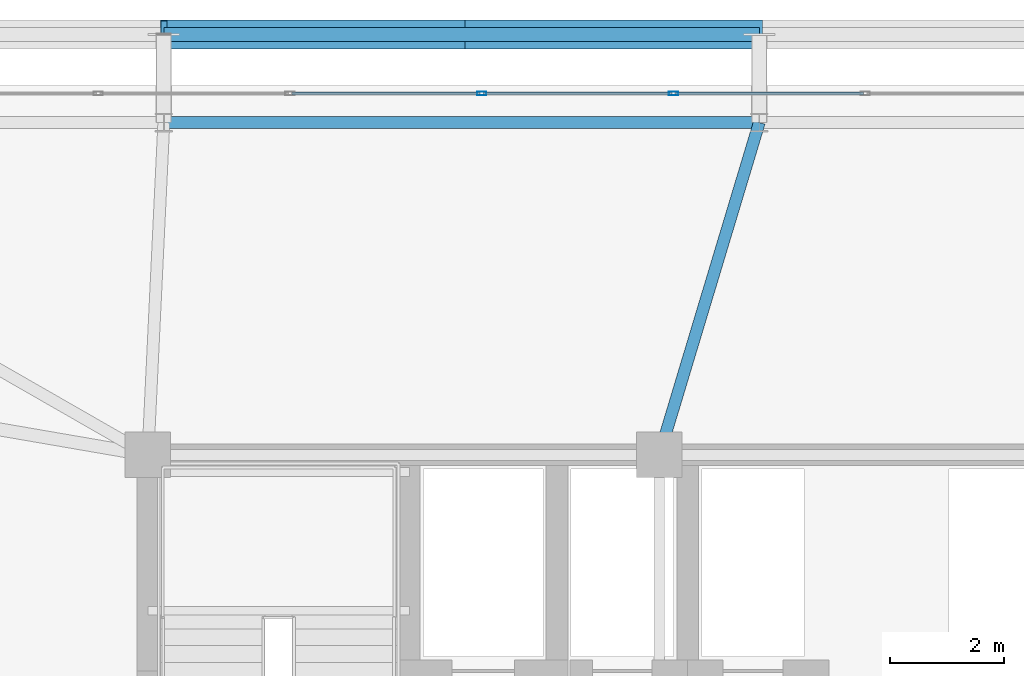
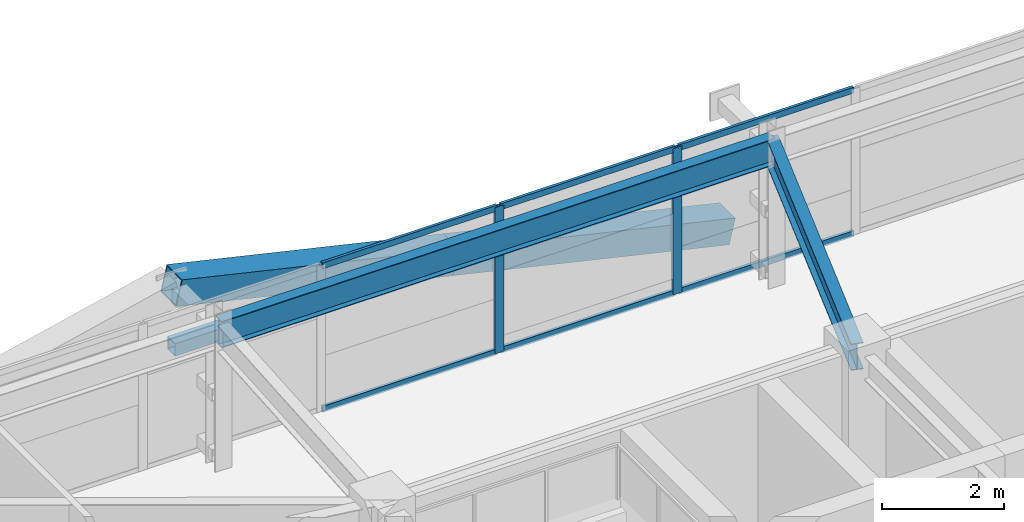
# One storey, part 36 of 58: 11 members, 2 beams, 1 element without a shape of its own.
"""IFC4 building model written with IfcOpenShell, lengths in metres."""

from ifc_helpers import new_model, si_unit, direction, frame, origin, origin_2d, place, context, subcontext, project, spatial, hollow_rectangle, i_section, extrude, source, transform, mapped, material, layer, layer_set, material_profile, profile_set, type_object, element, aggregate, save


model = new_model("IFC4")

# Units and contexts
model_context = context("Model", 3, precision=1e-05, world=origin(), true_north=direction((0.0, 1.0)))
body_context = subcontext(model_context, "Body", "Model", "MODEL_VIEW")
ifc_project = project(units=[si_unit("LENGTHUNIT", "METRE"), si_unit("AREAUNIT", "SQUARE_METRE"), si_unit("VOLUMEUNIT", "CUBIC_METRE"), si_unit("PLANEANGLEUNIT", "RADIAN"), si_unit("MASSUNIT", "GRAM", prefix="KILO")], contexts=[model_context])

# Site, building, storey
site_placement = place(None, origin())
site = spatial("IfcSite", under=ifc_project, at=site_placement, CompositionType="ELEMENT")
building_placement = place(site_placement, origin())
building = spatial("IfcBuilding", under=site, at=building_placement, Name="Taldren Reach Tower", CompositionType="ELEMENT")
storey_placement = place(building_placement, frame((0.0, 0.0, 54.60009765625)))
storey = spatial("IfcBuildingStorey", under=building, at=storey_placement, Name="L16", CompositionType="ELEMENT", Elevation=54.60009765625)

# Beams
ifc_material_1 = material(Name="Steel Gr 350 (350PLUS)", Category="steel")
ifc_material_profile_1 = material_profile(ifc_material_1, i_section(OverallWidth=0.208984375, OverallDepth=0.528076171875, WebThickness=0.009521484375, FlangeThickness=0.01318359375, at=origin_2d()), Name="530UB82.0")
ifc_profile_set_1 = profile_set([ifc_material_profile_1], Name="Steel Gr 350 (350PLUS)")
beam_type_1 = type_object("IfcBeamType", Name="SP-UB530B", PredefinedType="SPANDREL", material=ifc_profile_set_1)
shared_shape_1 = source(origin(), body_context, "Body", "SweptSolid", [
    extrude(i_section(OverallWidth=0.208984375, OverallDepth=0.528076171875, WebThickness=0.009521484375, FlangeThickness=0.01318359375, at=origin_2d()), origin(), (0.0, 0.0, 1.0), 10.47998046875),
])
beam_1_placement = place(storey_placement, frame((29.760009765625, 37.85009765625, 2.666015625), z_axis=(-1.0, 0.0, 0.0), x_axis=(0.0, -1.0, 0.0)))
element("IfcBeam", 1, at=beam_1_placement, inside=storey, type_object=beam_type_1, Name="Perimeter spandrel B1 N3-N2 L16", PredefinedType="SPANDREL", context=body_context, shape_type="MappedRepresentation", body=[
    mapped(shared_shape_1, transform((0.0, 0.0, 0.0), scale=1.0)),
])
ifc_material_profile_2 = material_profile(ifc_material_1, i_section(OverallWidth=0.208984375, OverallDepth=0.532958984375, WebThickness=0.01025390625, FlangeThickness=0.015625, at=origin_2d()), Name="530UB92.4")
ifc_profile_set_2 = profile_set([ifc_material_profile_2], Name="Steel Gr 350 (350PLUS)")
beam_type_2 = type_object("IfcBeamType", Name="BM-UB530A", PredefinedType="BEAM", material=ifc_profile_set_2)
shared_shape_2 = source(origin(), body_context, "Body", "SweptSolid", [
    extrude(i_section(OverallWidth=0.208984375, OverallDepth=0.532958984375, WebThickness=0.01025390625, FlangeThickness=0.015625, at=origin_2d()), origin(), (0.0, 0.0, 1.0), 6.109130859375),
])
beam_2_placement = place(storey_placement, frame((28.0, 32.0, 2.663330078125), z_axis=(0.288095735745, 0.957601611864, 0.0), x_axis=(-0.957601611864, 0.288095735745, 0.0)))
element("IfcBeam", 2, at=beam_2_placement, inside=storey, type_object=beam_type_2, Name="Primary floor girder B1-N3 L16", PredefinedType="BEAM", context=body_context, shape_type="MappedRepresentation", body=[
    mapped(shared_shape_2, transform((0.0, 0.0, 0.0), scale=1.0)),
])

# Members
ifc_material_2 = material(Name="Steel Gr 450 (C450L0)", Category="steel")
ifc_material_profile_3 = material_profile(ifc_material_2, hollow_rectangle(XDim=0.510009765625, YDim=0.510009765625, WallThickness=0.02001953125, at=origin_2d()), Name="510x510x20.0SHS")
ifc_profile_set_3 = profile_set([ifc_material_profile_3], Name="Steel Gr 450 (C450L0)")
member_type_1 = type_object("IfcMemberType", Name="MB-EXO508", PredefinedType="BRACE", material=ifc_profile_set_3)
shared_shape_3 = source(origin(), body_context, "Body", "SweptSolid", [
    extrude(hollow_rectangle(XDim=0.510009765625, YDim=0.510009765625, WallThickness=0.02001953125, at=origin_2d()), origin(), (0.0, 0.0, 1.0), 5.37890625),
])
for number, where, z_axis, x_axis, name in (
    (3, (29.760009765625, 39.39990234375, 0.219970703125), (-0.974161966843, 0.0, 0.225850531007), (0.0, -1.0, 0.0), "Exoskeleton Diagrid Brace B1-N2 L16"),
    (4, (24.52001953125, 39.39990234375, 1.434814453125), (-0.97415197996, 0.0, 0.225893603143), (0.0, -1.0, 0.0), "Exoskeleton Diagrid Brace B1-N2 L16"),
):
    element("IfcMember", number, at=place(storey_placement, frame(where, z_axis=z_axis, x_axis=x_axis)), inside=storey, type_object=member_type_1, Name=name, PredefinedType="BRACE", context=body_context, shape_type="MappedRepresentation", body=[
        mapped(shared_shape_3, transform((0.0, 0.0, 0.0), scale=1.0)),
    ])
ifc_material_3 = material(Name="Steel Gr 350 (C350L0)", Category="steel")
ifc_material_profile_4 = material_profile(ifc_material_3, hollow_rectangle(XDim=0.25, YDim=0.25, WallThickness=0.010009765625, at=origin_2d()), Name="250x250x10.0SHS")
ifc_profile_set_4 = profile_set([ifc_material_profile_4], Name="Steel Gr 350 (C350L0)")
member_type_2 = type_object("IfcMemberType", Name="MB-POST250", PredefinedType="POST", material=ifc_profile_set_4)
shared_shape_4 = source(origin(), body_context, "Body", "SweptSolid", [
    extrude(hollow_rectangle(XDim=0.25, YDim=0.25, WallThickness=0.010009765625, at=origin_2d()), origin(), (0.0, 0.0, 1.0), 10.47998046875),
])
member_1_placement = place(storey_placement, frame((19.280029296875, 39.39990234375, 1.434814453125), z_axis=(1.0, 0.0, 0.0), x_axis=(0.0, 1.0, 0.0)))
element("IfcMember", 5, at=member_1_placement, inside=storey, type_object=member_type_2, Name="Exoskeleton mid-height ring chord B1-N2 L16", PredefinedType="POST", context=body_context, shape_type="MappedRepresentation", body=[
    mapped(shared_shape_4, transform((0.0, 0.0, 0.0), scale=1.0)),
])

# Curtain wall, members
ifc_material_4 = material(Name="Aluminium and Low-E Glass Unitised System", Category="aluminium")
ifc_layer = layer(ifc_material_4, 0.159912109375)
ifc_layer_set = layer_set([ifc_layer], Name="Aluminium and Low-E Glass Unitised System")
curtain_wall_type = type_object("IfcCurtainWallType", Name="CW-SYS-2", PredefinedType="NOTDEFINED", material=ifc_layer_set)
curtain_wall_placement = place(storey_placement, origin())
curtain_wall = element("IfcCurtainWall", 6, at=curtain_wall_placement, inside=storey, type_object=curtain_wall_type, Name="Unitised curtain wall CW-L16-N", PredefinedType="NOTDEFINED")
ifc_material_5 = material(Name="Anodised Aluminium 6063-T6", Category="aluminium")
ifc_material_profile_5 = material_profile(ifc_material_5, hollow_rectangle(XDim=0.06494140625, YDim=0.1650390625, WallThickness=0.00390625, at=origin_2d()), Name="ALU-165x65x4RHS")
ifc_profile_set_5 = profile_set([ifc_material_profile_5], Name="Anodised Aluminium 6063-T6")
member_type_3 = type_object("IfcMemberType", Name="CW-MUL-165", PredefinedType="MULLION", material=ifc_profile_set_5)
shared_shape_5 = source(origin(), body_context, "Body", "SweptSolid", [
    extrude(hollow_rectangle(XDim=0.06494140625, YDim=0.1650390625, WallThickness=0.00390625, at=origin_2d()), origin(), (0.0, 0.0, 1.0), 2.929931640625),
])
member_2_placement = place(storey_placement, frame((28.25, 38.360107421875, 0.0), z_axis=(0.0, 0.0, 1.0), x_axis=(0.0, -1.0, 0.0)))
member_2 = element("IfcMember", 7, at=member_2_placement, type_object=member_type_3, Name="CW-2 mullion 11", PredefinedType="MULLION", context=body_context, shape_type="MappedRepresentation", body=[
    mapped(shared_shape_5, transform((0.0, 0.0, 0.0), scale=1.0)),
])
member_3_placement = place(storey_placement, frame((24.875, 38.360107421875, 0.0), z_axis=(0.0, 0.0, 1.0), x_axis=(0.0, -1.0, 0.0)))
member_3 = element("IfcMember", 8, at=member_3_placement, type_object=member_type_3, Name="CW-2 mullion 12", PredefinedType="MULLION", context=body_context, shape_type="MappedRepresentation", body=[
    mapped(shared_shape_5, transform((0.0, 0.0, 0.0), scale=1.0)),
])
ifc_material_profile_6 = material_profile(ifc_material_5, hollow_rectangle(XDim=0.054931640625, YDim=0.1201171875, WallThickness=0.0029296875, at=origin_2d()), Name="ALU-120x55x3RHS")
ifc_profile_set_6 = profile_set([ifc_material_profile_6], Name="Anodised Aluminium 6063-T6")
member_type_4 = type_object("IfcMemberType", Name="CW-TRN-135", PredefinedType="USERDEFINED", material=ifc_profile_set_6)
shared_shape_6 = source(origin(), body_context, "Body", "SweptSolid", [
    extrude(hollow_rectangle(XDim=0.054931640625, YDim=0.1201171875, WallThickness=0.0029296875, at=origin_2d()), origin(), (0.0, 0.0, 1.0), 3.31005859375),
])
member_4_placement = place(storey_placement, frame((31.592529296875, 38.360107421875, 0.02734375), z_axis=(-1.0, 0.0, 0.0), x_axis=(0.0, -1.0, 0.0)))
member_4 = element("IfcMember", 9, at=member_4_placement, type_object=member_type_4, Name="CW-2 transom 10.1", ObjectType="TRANSOM", PredefinedType="USERDEFINED", context=body_context, shape_type="MappedRepresentation", body=[
    mapped(shared_shape_6, transform((0.0, 0.0, 0.0), scale=1.0)),
])
member_5_placement = place(storey_placement, frame((31.592529296875, 38.360107421875, 2.90234375), z_axis=(-1.0, 0.0, 0.0), x_axis=(0.0, -1.0, 0.0)))
member_5 = element("IfcMember", 10, at=member_5_placement, type_object=member_type_4, Name="CW-2 transom 10.2", ObjectType="TRANSOM", PredefinedType="USERDEFINED", context=body_context, shape_type="MappedRepresentation", body=[
    mapped(shared_shape_6, transform((0.0, 0.0, 0.0), scale=1.0)),
])
member_6_placement = place(storey_placement, frame((28.217529296875, 38.360107421875, 0.02734375), z_axis=(-1.0, 0.0, 0.0), x_axis=(0.0, -1.0, 0.0)))
member_6 = element("IfcMember", 11, at=member_6_placement, type_object=member_type_4, Name="CW-2 transom 11.1", ObjectType="TRANSOM", PredefinedType="USERDEFINED", context=body_context, shape_type="MappedRepresentation", body=[
    mapped(shared_shape_6, transform((0.0, 0.0, 0.0), scale=1.0)),
])
member_7_placement = place(storey_placement, frame((28.217529296875, 38.360107421875, 2.90234375), z_axis=(-1.0, 0.0, 0.0), x_axis=(0.0, -1.0, 0.0)))
member_7 = element("IfcMember", 12, at=member_7_placement, type_object=member_type_4, Name="CW-2 transom 11.2", ObjectType="TRANSOM", PredefinedType="USERDEFINED", context=body_context, shape_type="MappedRepresentation", body=[
    mapped(shared_shape_6, transform((0.0, 0.0, 0.0), scale=1.0)),
])
member_8_placement = place(storey_placement, frame((24.842529296875, 38.360107421875, 0.02734375), z_axis=(-1.0, 0.0, 0.0), x_axis=(0.0, -1.0, 0.0)))
member_8 = element("IfcMember", 13, at=member_8_placement, type_object=member_type_4, Name="CW-2 transom 12.1", ObjectType="TRANSOM", PredefinedType="USERDEFINED", context=body_context, shape_type="MappedRepresentation", body=[
    mapped(shared_shape_6, transform((0.0, 0.0, 0.0), scale=1.0)),
])
member_9_placement = place(storey_placement, frame((24.842529296875, 38.360107421875, 2.90234375), z_axis=(-1.0, 0.0, 0.0), x_axis=(0.0, -1.0, 0.0)))
member_9 = element("IfcMember", 14, at=member_9_placement, type_object=member_type_4, Name="CW-2 transom 12.2", ObjectType="TRANSOM", PredefinedType="USERDEFINED", context=body_context, shape_type="MappedRepresentation", body=[
    mapped(shared_shape_6, transform((0.0, 0.0, 0.0), scale=1.0)),
])
aggregate(curtain_wall, [member_2, member_3, member_4, member_5, member_6, member_7, member_8, member_9])

save(model, "model.ifc")
